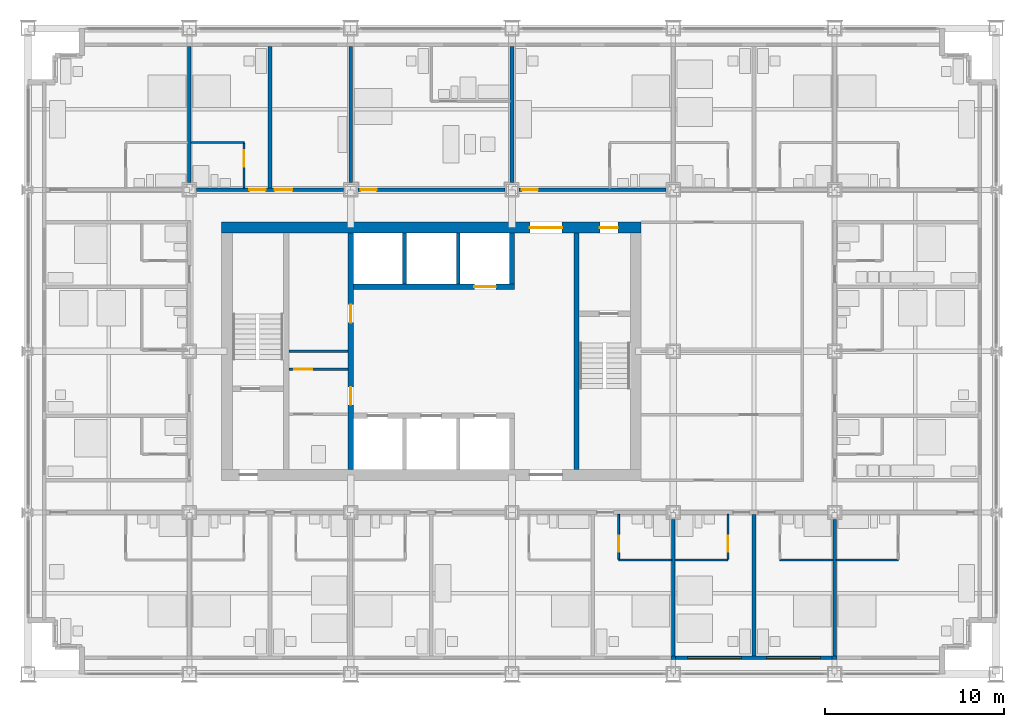
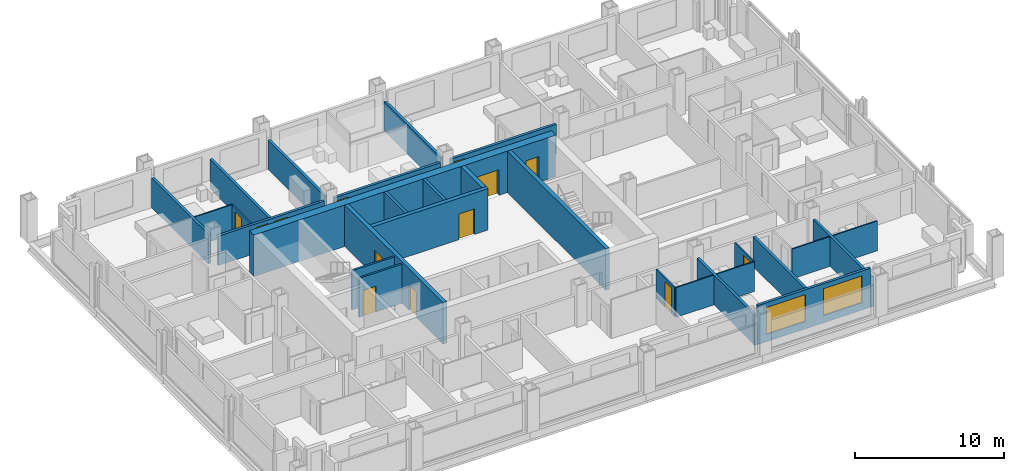
# One storey, part 12 of 18: 30 walls, 13 doors, 2 windows, 15 openings.
"""IFC4 building model written with IfcOpenShell, lengths in metres."""

from ifc_helpers import new_model, si_unit, direction, frame, frame_2d, origin, place, context, subcontext, project, spatial, rectangle, extrude, material, layer, layer_set, type_object, element, fill, save


model = new_model("IFC4")

# Units and contexts
model_context = context("Model", 3, precision=1e-05, world=origin(), true_north=direction((0.0, 1.0)))
body_context = subcontext(model_context, "Body", "Model", "MODEL_VIEW")
ifc_project = project(units=[si_unit("LENGTHUNIT", "METRE"), si_unit("AREAUNIT", "SQUARE_METRE"), si_unit("VOLUMEUNIT", "CUBIC_METRE"), si_unit("PLANEANGLEUNIT", "RADIAN"), si_unit("MASSUNIT", "GRAM", prefix="KILO")], contexts=[model_context])

# Site, building, storey
site_placement = place(None, origin())
site = spatial("IfcSite", under=ifc_project, at=site_placement, CompositionType="ELEMENT")
building_placement = place(site_placement, origin())
building = spatial("IfcBuilding", under=site, at=building_placement, Name="Loomwork Tower", CompositionType="ELEMENT")
storey_placement = place(building_placement, frame((0.0, 0.0, 82.39990234375)))
storey = spatial("IfcBuildingStorey", under=building, at=storey_placement, Name="L21", CompositionType="ELEMENT", Elevation=82.39990234375)

# Wall, openings, doors
ifc_material_1 = material(Name="Concrete 14000 psi (97 MPa)", Category="concrete")
ifc_layer_1 = layer(ifc_material_1, 0.300048828125)
ifc_layer_set_1 = layer_set([ifc_layer_1], Name="Core shear wall 300")
wall_type_1 = type_object("IfcWallType", Name="Core shear wall 300", PredefinedType="SHEAR", material=ifc_layer_set_1)
wall_1_placement = place(storey_placement, frame((18.0, 11.39990234375, 0.0), z_axis=(0.0, 0.0, 1.0), x_axis=(0.0, 1.0, 0.0)))
wall_1 = element("IfcWall", 1, at=wall_1_placement, inside=storey, type_object=wall_type_1, Name="Lobby west wall L21", PredefinedType="SHEAR", context=body_context, shape_type="SweptSolid", body=[
    extrude(rectangle(XDim=13.2001953125, YDim=0.300048828125, at=frame_2d((6.60009765625, 0.0))), origin(), (0.0, 0.0, 1.0), 3.400146484375),
])
opening_1_placement = place(wall_1_placement, frame((3.60009765625, 0.0, 0.0)))
opening_1 = element("IfcOpeningElement", 2, at=opening_1_placement, cuts=wall_1, Name="Opening D5", PredefinedType="OPENING", context=body_context, shape_type="SweptSolid", body=[
    extrude(rectangle(XDim=1.0, YDim=2.10009765625, at=frame_2d((0.5, 1.050048828125))), frame((0.0, 0.159912109375, 0.0), z_axis=(0.0, -1.0, 0.0), x_axis=(1.0, 0.0, 0.0)), (0.0, 0.0, 1.0), 0.320068359375),
])
opening_2_placement = place(wall_1_placement, frame((8.199951171875, 0.0, 0.0)))
opening_2 = element("IfcOpeningElement", 3, at=opening_2_placement, cuts=wall_1, Name="Opening D5", PredefinedType="OPENING", context=body_context, shape_type="SweptSolid", body=[
    extrude(rectangle(XDim=1.0, YDim=2.10009765625, at=frame_2d((0.5, 1.050048828125))), frame((0.0, 0.159912109375, 0.0), z_axis=(0.0, -1.0, 0.0), x_axis=(1.0, 0.0, 0.0)), (0.0, 0.0, 1.0), 0.320068359375),
])
ifc_material_2 = material(Name="Hollow metal door and frame")
door_type_1 = type_object("IfcDoorType", Name="Service door 1000", OperationType="SINGLE_SWING_LEFT", PredefinedType="DOOR", material=ifc_material_2)
door_1_placement = place(opening_1_placement, origin())
door_1 = element("IfcDoor", 4, at=door_1_placement, inside=storey, type_object=door_type_1, Name="Back-of-house door south", OperationType="SINGLE_SWING_LEFT", OverallHeight=2.10009765625, OverallWidth=1.0, PredefinedType="DOOR", context=body_context, shape_type="SweptSolid", body=[
    extrude(rectangle(XDim=1.0, YDim=2.10009765625, at=frame_2d((0.5, 1.050048828125))), frame((0.0, 0.02490234375, 0.0), z_axis=(0.0, -1.0, 0.0), x_axis=(1.0, 0.0, 0.0)), (0.0, 0.0, 1.0), 0.050048828125),
])
fill(opening_1, door_1)
door_2_placement = place(opening_2_placement, origin())
door_2 = element("IfcDoor", 5, at=door_2_placement, inside=storey, type_object=door_type_1, Name="Back-of-house door north", OperationType="SINGLE_SWING_RIGHT", OverallHeight=2.10009765625, OverallWidth=1.0, PredefinedType="DOOR", context=body_context, shape_type="SweptSolid", body=[
    extrude(rectangle(XDim=1.0, YDim=2.10009765625, at=frame_2d((0.5, 1.050048828125))), frame((0.0, 0.02490234375, 0.0), z_axis=(0.0, -1.0, 0.0), x_axis=(1.0, 0.0, 0.0)), (0.0, 0.0, 1.0), 0.050048828125),
])
fill(opening_2, door_2)

# Wall, opening, door
wall_2_placement = place(storey_placement, frame((18.14990234375, 21.60009765625, 0.0), z_axis=(0.0, 0.0, 1.0), x_axis=(1.0, 0.0, 0.0)))
wall_2 = element("IfcWall", 6, at=wall_2_placement, inside=storey, type_object=wall_type_1, Name="Lift front wall north L21", PredefinedType="SHEAR", context=body_context, shape_type="SweptSolid", body=[
    extrude(rectangle(XDim=9.0, YDim=0.300048828125, at=frame_2d((4.5, 0.0))), origin(), (0.0, 0.0, 1.0), 3.400146484375),
])
opening_3_placement = place(wall_2_placement, frame((6.75, 0.0, 0.0)))
opening_3 = element("IfcOpeningElement", 7, at=opening_3_placement, cuts=wall_2, Name="Opening LD2", PredefinedType="OPENING", context=body_context, shape_type="SweptSolid", body=[
    extrude(rectangle(XDim=1.199951171875, YDim=2.10009765625, at=frame_2d((0.60009765625, 1.050048828125))), frame((0.0, 0.159912109375, 0.0), z_axis=(0.0, -1.0, 0.0), x_axis=(1.0, 0.0, 0.0)), (0.0, 0.0, 1.0), 0.320068359375),
])
ifc_material_3 = material(Name="Hollow metal door and frame")
door_type_2 = type_object("IfcDoorType", Name="Lift landing door 1200", OperationType="SLIDING_TO_LEFT", PredefinedType="DOOR", material=ifc_material_3)
door_3_placement = place(opening_3_placement, origin())
door_3 = element("IfcDoor", 8, at=door_3_placement, inside=storey, type_object=door_type_2, Name="Lift landing door LF2", OperationType="SLIDING_TO_LEFT", OverallHeight=2.10009765625, OverallWidth=1.199951171875, PredefinedType="DOOR", context=body_context, shape_type="SweptSolid", body=[
    extrude(rectangle(XDim=1.199951171875, YDim=2.10009765625, at=frame_2d((0.60009765625, 1.050048828125))), frame((0.0, 0.02490234375, 0.0), z_axis=(0.0, -1.0, 0.0), x_axis=(1.0, 0.0, 0.0)), (0.0, 0.0, 1.0), 0.050048828125),
])
fill(opening_3, door_3)

# Walls
wall_3_placement = place(storey_placement, frame((27.0, 21.75, 0.0), z_axis=(0.0, 0.0, 1.0), x_axis=(0.0, 1.0, 0.0)))
element("IfcWall", 9, at=wall_3_placement, inside=storey, type_object=wall_type_1, Name="Lift shaft end wall north L21", PredefinedType="SHEAR", context=body_context, shape_type="SweptSolid", body=[
    extrude(rectangle(XDim=2.85009765625, YDim=0.300048828125, at=frame_2d((1.425048828125, 0.0))), origin(), (0.0, 0.0, 1.0), 3.400146484375),
])
wall_4_placement = place(storey_placement, frame((30.60009765625, 11.39990234375, 0.0), z_axis=(0.0, 0.0, 1.0), x_axis=(0.0, 1.0, 0.0)))
element("IfcWall", 10, at=wall_4_placement, inside=storey, type_object=wall_type_1, Name="Stair B west wall L21", PredefinedType="SHEAR", context=body_context, shape_type="SweptSolid", body=[
    extrude(rectangle(XDim=13.2001953125, YDim=0.300048828125, at=frame_2d((6.60009765625, 0.0))), origin(), (0.0, 0.0, 1.0), 3.400146484375),
])

# Wall, openings, doors
ifc_material_4 = material(Name="Concrete 14000 psi (97 MPa)", Category="concrete")
ifc_layer_2 = layer(ifc_material_4, 0.60009765625)
ifc_layer_set_2 = layer_set([ifc_layer_2], Name="Core shear wall 600")
wall_type_2 = type_object("IfcWallType", Name="Core shear wall 600", PredefinedType="SHEAR", material=ifc_layer_set_2)
wall_5_placement = place(storey_placement, frame((10.800048828125, 24.89990234375, 0.0), z_axis=(0.0, 0.0, 1.0), x_axis=(1.0, 0.0, 0.0)))
wall_5 = element("IfcWall", 11, at=wall_5_placement, inside=storey, type_object=wall_type_2, Name="Core wall north L21", PredefinedType="SHEAR", context=body_context, shape_type="SweptSolid", body=[
    extrude(rectangle(XDim=23.39990234375, YDim=0.60009765625, at=frame_2d((11.699951171875, 0.0))), origin(), (0.0, 0.0, 1.0), 3.400146484375),
])
opening_4_placement = place(wall_5_placement, frame((17.199951171875, 0.0, 0.0)))
opening_4 = element("IfcOpeningElement", 12, at=opening_4_placement, cuts=wall_5, Name="Opening D6", PredefinedType="OPENING", context=body_context, shape_type="SweptSolid", body=[
    extrude(rectangle(XDim=1.800048828125, YDim=2.10009765625, at=frame_2d((0.89990234375, 1.050048828125))), frame((0.0, 0.31005859375, 0.0), z_axis=(0.0, -1.0, 0.0), x_axis=(1.0, 0.0, 0.0)), (0.0, 0.0, 1.0), 0.6201171875),
])
opening_5_placement = place(wall_5_placement, frame((21.10009765625, 0.0, 0.0)))
opening_5 = element("IfcOpeningElement", 13, at=opening_5_placement, cuts=wall_5, Name="Opening D4", PredefinedType="OPENING", context=body_context, shape_type="SweptSolid", body=[
    extrude(rectangle(XDim=1.0, YDim=2.10009765625, at=frame_2d((0.5, 1.050048828125))), frame((0.0, 0.31005859375, 0.0), z_axis=(0.0, -1.0, 0.0), x_axis=(1.0, 0.0, 0.0)), (0.0, 0.0, 1.0), 0.6201171875),
])
ifc_material_5 = material(Name="Hollow metal door and frame")
door_type_3 = type_object("IfcDoorType", Name="Lobby passage double door 1800", OperationType="DOUBLE_DOOR_SINGLE_SWING", PredefinedType="DOOR", material=ifc_material_5)
door_4_placement = place(opening_4_placement, frame((1.800048828125, 0.0, 0.0), z_axis=(0.0, 0.0, 1.0), x_axis=(-1.0, 0.0, 0.0)))
door_4 = element("IfcDoor", 14, at=door_4_placement, inside=storey, type_object=door_type_3, Name="Lobby passage door north", OperationType="DOUBLE_DOOR_SINGLE_SWING", OverallHeight=2.10009765625, OverallWidth=1.800048828125, PredefinedType="DOOR", context=body_context, shape_type="SweptSolid", body=[
    extrude(rectangle(XDim=1.800048828125, YDim=2.10009765625, at=frame_2d((0.89990234375, 1.050048828125))), frame((0.0, 0.02490234375, 0.0), z_axis=(0.0, -1.0, 0.0), x_axis=(1.0, 0.0, 0.0)), (0.0, 0.0, 1.0), 0.050048828125),
])
fill(opening_4, door_4)
ifc_material_6 = material(Name="Hollow metal door and frame")
door_type_4 = type_object("IfcDoorType", Name="Stair door 1000", OperationType="SINGLE_SWING_RIGHT", PredefinedType="DOOR", material=ifc_material_6)
door_5_placement = place(opening_5_placement, frame((1.0, 0.0, 0.0), z_axis=(0.0, 0.0, 1.0), x_axis=(-1.0, 0.0, 0.0)))
door_5 = element("IfcDoor", 15, at=door_5_placement, inside=storey, type_object=door_type_4, Name="Stair B vestibule door", OperationType="SINGLE_SWING_LEFT", OverallHeight=2.10009765625, OverallWidth=1.0, PredefinedType="DOOR", context=body_context, shape_type="SweptSolid", body=[
    extrude(rectangle(XDim=1.0, YDim=2.10009765625, at=frame_2d((0.5, 1.050048828125))), frame((0.0, 0.02490234375, 0.0), z_axis=(0.0, -1.0, 0.0), x_axis=(1.0, 0.0, 0.0)), (0.0, 0.0, 1.0), 0.050048828125),
])
fill(opening_5, door_5)

ifc_material_7 = material(Name="Gypsum board on steel studs, one-hour", Category="steel")
ifc_layer_3 = layer(ifc_material_7, 0.199951171875)
ifc_layer_set_3 = layer_set([ifc_layer_3], Name="Corridor wall 200")
wall_type_3 = type_object("IfcWallType", Name="Corridor wall 200", PredefinedType="PARTITIONING", material=ifc_layer_set_3)
wall_6_placement = place(storey_placement, frame((9.39990234375, 27.0, 0.0), z_axis=(0.0, 0.0, 1.0), x_axis=(1.0, 0.0, 0.0)))
wall_6 = element("IfcWall", 16, at=wall_6_placement, inside=storey, type_object=wall_type_3, Name="North corridor wall 2", PredefinedType="PARTITIONING", context=body_context, shape_type="SweptSolid", body=[
    extrude(rectangle(XDim=8.2001953125, YDim=0.199951171875, at=frame_2d((4.10009765625, 0.0))), origin(), (0.0, 0.0, 1.0), 2.405029296875),
])
opening_6_placement = place(wall_6_placement, frame((2.949951171875, 0.0, 0.0)))
opening_6 = element("IfcOpeningElement", 17, at=opening_6_placement, cuts=wall_6, Name="Opening D1", PredefinedType="OPENING", context=body_context, shape_type="SweptSolid", body=[
    extrude(rectangle(XDim=0.89990234375, YDim=2.10009765625, at=frame_2d((0.449951171875, 1.050048828125))), frame((0.0, 0.10986328125, 0.0), z_axis=(0.0, -1.0, 0.0), x_axis=(1.0, 0.0, 0.0)), (0.0, 0.0, 1.0), 0.219970703125),
])
opening_7_placement = place(wall_6_placement, frame((4.35009765625, 0.0, 0.0)))
opening_7 = element("IfcOpeningElement", 18, at=opening_7_placement, cuts=wall_6, Name="Opening D15", PredefinedType="OPENING", context=body_context, shape_type="SweptSolid", body=[
    extrude(rectangle(XDim=1.0, YDim=2.10009765625, at=frame_2d((0.5, 1.050048828125))), frame((0.0, 0.10986328125, 0.0), z_axis=(0.0, -1.0, 0.0), x_axis=(1.0, 0.0, 0.0)), (0.0, 0.0, 1.0), 0.219970703125),
])
ifc_material_8 = material(Name="Hollow metal door and frame")
door_type_5 = type_object("IfcDoorType", Name="Fire-rated room door 1000", OperationType="SINGLE_SWING_LEFT", PredefinedType="DOOR", material=ifc_material_8)
door_6_placement = place(opening_7_placement, origin())
door_6 = element("IfcDoor", 19, at=door_6_placement, inside=storey, type_object=door_type_5, Name="Housekeeping pantry door L21 12", OperationType="SINGLE_SWING_LEFT", OverallHeight=2.10009765625, OverallWidth=1.0, PredefinedType="DOOR", context=body_context, shape_type="SweptSolid", body=[
    extrude(rectangle(XDim=1.0, YDim=2.10009765625, at=frame_2d((0.5, 1.050048828125))), frame((0.0, 0.02490234375, 0.0), z_axis=(0.0, -1.0, 0.0), x_axis=(1.0, 0.0, 0.0)), (0.0, 0.0, 1.0), 0.050048828125),
])
fill(opening_7, door_6)
ifc_material_9 = material(Name="Hollow metal door and frame")
door_type_6 = type_object("IfcDoorType", Name="Guest room entry door 900", OperationType="SINGLE_SWING_LEFT", PredefinedType="DOOR", material=ifc_material_9)
door_7_placement = place(opening_6_placement, origin())
door_7 = element("IfcDoor", 20, at=door_7_placement, inside=storey, type_object=door_type_6, Name="Guest room entry door L21 11", OperationType="SINGLE_SWING_RIGHT", OverallHeight=2.10009765625, OverallWidth=0.89990234375, PredefinedType="DOOR", context=body_context, shape_type="SweptSolid", body=[
    extrude(rectangle(XDim=0.89990234375, YDim=2.10009765625, at=frame_2d((0.449951171875, 1.050048828125))), frame((0.0, 0.02490234375, 0.0), z_axis=(0.0, -1.0, 0.0), x_axis=(1.0, 0.0, 0.0)), (0.0, 0.0, 1.0), 0.050048828125),
])
fill(opening_6, door_7)

# Wall, opening, door
wall_7_placement = place(storey_placement, frame((18.39990234375, 27.0, 0.0), z_axis=(0.0, 0.0, 1.0), x_axis=(1.0, 0.0, 0.0)))
wall_7 = element("IfcWall", 21, at=wall_7_placement, inside=storey, type_object=wall_type_3, Name="North corridor wall 3", PredefinedType="PARTITIONING", context=body_context, shape_type="SweptSolid", body=[
    extrude(rectangle(XDim=8.2001953125, YDim=0.199951171875, at=frame_2d((4.10009765625, 0.0))), origin(), (0.0, 0.0, 1.0), 2.405029296875),
])
opening_8_placement = place(wall_7_placement, frame((0.14990234375, 0.0, 0.0)))
opening_8 = element("IfcOpeningElement", 22, at=opening_8_placement, cuts=wall_7, Name="Opening D1", PredefinedType="OPENING", context=body_context, shape_type="SweptSolid", body=[
    extrude(rectangle(XDim=0.89990234375, YDim=2.10009765625, at=frame_2d((0.449951171875, 1.050048828125))), frame((0.0, 0.10986328125, 0.0), z_axis=(0.0, -1.0, 0.0), x_axis=(1.0, 0.0, 0.0)), (0.0, 0.0, 1.0), 0.219970703125),
])
door_8_placement = place(opening_8_placement, origin())
door_8 = element("IfcDoor", 23, at=door_8_placement, inside=storey, type_object=door_type_6, Name="Guest room entry door L21 13", OperationType="SINGLE_SWING_LEFT", OverallHeight=2.10009765625, OverallWidth=0.89990234375, PredefinedType="DOOR", context=body_context, shape_type="SweptSolid", body=[
    extrude(rectangle(XDim=0.89990234375, YDim=2.10009765625, at=frame_2d((0.449951171875, 1.050048828125))), frame((0.0, 0.02490234375, 0.0), z_axis=(0.0, -1.0, 0.0), x_axis=(1.0, 0.0, 0.0)), (0.0, 0.0, 1.0), 0.050048828125),
])
fill(opening_8, door_8)

wall_8_placement = place(storey_placement, frame((27.39990234375, 27.0, 0.0), z_axis=(0.0, 0.0, 1.0), x_axis=(1.0, 0.0, 0.0)))
wall_8 = element("IfcWall", 24, at=wall_8_placement, inside=storey, type_object=wall_type_3, Name="North corridor wall 4", PredefinedType="PARTITIONING", context=body_context, shape_type="SweptSolid", body=[
    extrude(rectangle(XDim=8.2001953125, YDim=0.199951171875, at=frame_2d((4.10009765625, 0.0))), origin(), (0.0, 0.0, 1.0), 2.405029296875),
])
opening_9_placement = place(wall_8_placement, frame((0.14990234375, 0.0, 0.0)))
opening_9 = element("IfcOpeningElement", 25, at=opening_9_placement, cuts=wall_8, Name="Opening D1", PredefinedType="OPENING", context=body_context, shape_type="SweptSolid", body=[
    extrude(rectangle(XDim=0.89990234375, YDim=2.10009765625, at=frame_2d((0.449951171875, 1.050048828125))), frame((0.0, 0.10986328125, 0.0), z_axis=(0.0, -1.0, 0.0), x_axis=(1.0, 0.0, 0.0)), (0.0, 0.0, 1.0), 0.219970703125),
])
door_9_placement = place(opening_9_placement, origin())
door_9 = element("IfcDoor", 26, at=door_9_placement, inside=storey, type_object=door_type_6, Name="Guest room entry door L21 14", OperationType="SINGLE_SWING_LEFT", OverallHeight=2.10009765625, OverallWidth=0.89990234375, PredefinedType="DOOR", context=body_context, shape_type="SweptSolid", body=[
    extrude(rectangle(XDim=0.89990234375, YDim=2.10009765625, at=frame_2d((0.449951171875, 1.050048828125))), frame((0.0, 0.02490234375, 0.0), z_axis=(0.0, -1.0, 0.0), x_axis=(1.0, 0.0, 0.0)), (0.0, 0.0, 1.0), 0.050048828125),
])
fill(opening_9, door_9)

# Wall
ifc_material_10 = material(Name="Cement board on steel studs", Category="steel")
ifc_layer_4 = layer(ifc_material_10, 0.10009765625)
ifc_layer_set_4 = layer_set([ifc_layer_4], Name="En-suite partition 100")
wall_type_4 = type_object("IfcWallType", Name="En-suite partition 100", PredefinedType="PARTITIONING", material=ifc_layer_set_4)
wall_9_placement = place(storey_placement, frame((32.949951171875, 6.35009765625, 0.0), z_axis=(0.0, 0.0, 1.0), x_axis=(1.0, 0.0, 0.0)))
element("IfcWall", 27, at=wall_9_placement, inside=storey, type_object=wall_type_4, Name="En-suite wall L21 room 6", PredefinedType="PARTITIONING", context=body_context, shape_type="SweptSolid", body=[
    extrude(rectangle(XDim=2.949951171875, YDim=0.10009765625, at=frame_2d((1.47509765625, 0.0))), origin(), (0.0, 0.0, 1.0), 2.43798828125),
])

# Wall, opening, door
wall_10_placement = place(storey_placement, frame((32.949951171875, 8.89990234375, 0.0), z_axis=(0.0, 0.0, 1.0), x_axis=(0.0, -1.0, 0.0)))
wall_10 = element("IfcWall", 28, at=wall_10_placement, inside=storey, type_object=wall_type_4, Name="En-suite side wall L21 room 6", PredefinedType="PARTITIONING", context=body_context, shape_type="SweptSolid", body=[
    extrude(rectangle(XDim=2.5, YDim=0.10009765625, at=frame_2d((1.25, 0.0))), origin(), (0.0, 0.0, 1.0), 2.404052734375),
])
opening_10_placement = place(wall_10_placement, frame((1.199951171875, 0.0, 0.0)))
opening_10 = element("IfcOpeningElement", 29, at=opening_10_placement, cuts=wall_10, Name="Opening D2", PredefinedType="OPENING", context=body_context, shape_type="SweptSolid", body=[
    extrude(rectangle(XDim=0.89990234375, YDim=2.10009765625, at=frame_2d((0.449951171875, 1.050048828125))), frame((0.0, 0.06005859375, 0.0), z_axis=(0.0, -1.0, 0.0), x_axis=(1.0, 0.0, 0.0)), (0.0, 0.0, 1.0), 0.1201171875),
])
ifc_material_11 = material(Name="Hollow metal door and frame")
door_type_7 = type_object("IfcDoorType", Name="En-suite door 900", OperationType="SINGLE_SWING_LEFT", PredefinedType="DOOR", material=ifc_material_11)
door_10_placement = place(opening_10_placement, origin())
door_10 = element("IfcDoor", 30, at=door_10_placement, inside=storey, type_object=door_type_7, Name="En-suite door room 6", OperationType="SINGLE_SWING_RIGHT", OverallHeight=2.10009765625, OverallWidth=0.89990234375, PredefinedType="DOOR", context=body_context, shape_type="SweptSolid", body=[
    extrude(rectangle(XDim=0.89990234375, YDim=2.10009765625, at=frame_2d((0.449951171875, 1.050048828125))), frame((0.0, 0.02490234375, 0.0), z_axis=(0.0, -1.0, 0.0), x_axis=(1.0, 0.0, 0.0)), (0.0, 0.0, 1.0), 0.050048828125),
])
fill(opening_10, door_10)

# Wall
wall_11_placement = place(storey_placement, frame((36.10009765625, 6.35009765625, 0.0), z_axis=(0.0, 0.0, 1.0), x_axis=(1.0, 0.0, 0.0)))
element("IfcWall", 31, at=wall_11_placement, inside=storey, type_object=wall_type_4, Name="En-suite wall L21 room 7", PredefinedType="PARTITIONING", context=body_context, shape_type="SweptSolid", body=[
    extrude(rectangle(XDim=2.949951171875, YDim=0.10009765625, at=frame_2d((1.47509765625, 0.0))), origin(), (0.0, 0.0, 1.0), 2.43798828125),
])

# Wall, opening, door
wall_12_placement = place(storey_placement, frame((39.050048828125, 8.89990234375, 0.0), z_axis=(0.0, 0.0, 1.0), x_axis=(0.0, -1.0, 0.0)))
wall_12 = element("IfcWall", 32, at=wall_12_placement, inside=storey, type_object=wall_type_4, Name="En-suite side wall L21 room 7", PredefinedType="PARTITIONING", context=body_context, shape_type="SweptSolid", body=[
    extrude(rectangle(XDim=2.5, YDim=0.10009765625, at=frame_2d((1.25, 0.0))), origin(), (0.0, 0.0, 1.0), 2.43798828125),
])
opening_11_placement = place(wall_12_placement, frame((1.199951171875, 0.0, 0.0)))
opening_11 = element("IfcOpeningElement", 33, at=opening_11_placement, cuts=wall_12, Name="Opening D2", PredefinedType="OPENING", context=body_context, shape_type="SweptSolid", body=[
    extrude(rectangle(XDim=0.89990234375, YDim=2.10009765625, at=frame_2d((0.449951171875, 1.050048828125))), frame((0.0, 0.06005859375, 0.0), z_axis=(0.0, -1.0, 0.0), x_axis=(1.0, 0.0, 0.0)), (0.0, 0.0, 1.0), 0.1201171875),
])
door_11_placement = place(opening_11_placement, frame((0.89990234375, 0.0, 0.0), z_axis=(0.0, 0.0, 1.0), x_axis=(-1.0, 0.0, 0.0)))
door_11 = element("IfcDoor", 34, at=door_11_placement, inside=storey, type_object=door_type_7, Name="En-suite door room 7", OperationType="SINGLE_SWING_LEFT", OverallHeight=2.10009765625, OverallWidth=0.89990234375, PredefinedType="DOOR", context=body_context, shape_type="SweptSolid", body=[
    extrude(rectangle(XDim=0.89990234375, YDim=2.10009765625, at=frame_2d((0.449951171875, 1.050048828125))), frame((0.0, 0.02490234375, 0.0), z_axis=(0.0, -1.0, 0.0), x_axis=(1.0, 0.0, 0.0)), (0.0, 0.0, 1.0), 0.050048828125),
])
fill(opening_11, door_11)

# Walls
wall_13_placement = place(storey_placement, frame((41.949951171875, 6.35009765625, 0.0), z_axis=(0.0, 0.0, 1.0), x_axis=(1.0, 0.0, 0.0)))
element("IfcWall", 35, at=wall_13_placement, inside=storey, type_object=wall_type_4, Name="En-suite wall L21 room 8", PredefinedType="PARTITIONING", context=body_context, shape_type="SweptSolid", body=[
    extrude(rectangle(XDim=2.949951171875, YDim=0.10009765625, at=frame_2d((1.47509765625, 0.0))), origin(), (0.0, 0.0, 1.0), 2.43798828125),
])
wall_14_placement = place(storey_placement, frame((45.10009765625, 6.35009765625, 0.0), z_axis=(0.0, 0.0, 1.0), x_axis=(1.0, 0.0, 0.0)))
element("IfcWall", 36, at=wall_14_placement, inside=storey, type_object=wall_type_4, Name="En-suite wall L21 room 9", PredefinedType="PARTITIONING", context=body_context, shape_type="SweptSolid", body=[
    extrude(rectangle(XDim=3.449951171875, YDim=0.10009765625, at=frame_2d((1.72509765625, 0.0))), origin(), (0.0, 0.0, 1.0), 2.43798828125),
])
wall_15_placement = place(storey_placement, frame((9.10009765625, 29.64990234375, 0.0), z_axis=(0.0, 0.0, 1.0), x_axis=(1.0, 0.0, 0.0)))
element("IfcWall", 37, at=wall_15_placement, inside=storey, type_object=wall_type_4, Name="En-suite wall L21 room 11", PredefinedType="PARTITIONING", context=body_context, shape_type="SweptSolid", body=[
    extrude(rectangle(XDim=2.949951171875, YDim=0.10009765625, at=frame_2d((1.47509765625, 0.0))), origin(), (0.0, 0.0, 1.0), 2.43798828125),
])

# Wall, opening, door
wall_16_placement = place(storey_placement, frame((12.050048828125, 27.10009765625, 0.0), z_axis=(0.0, 0.0, 1.0), x_axis=(0.0, 1.0, 0.0)))
wall_16 = element("IfcWall", 38, at=wall_16_placement, inside=storey, type_object=wall_type_4, Name="En-suite side wall L21 room 11", PredefinedType="PARTITIONING", context=body_context, shape_type="SweptSolid", body=[
    extrude(rectangle(XDim=2.5, YDim=0.10009765625, at=frame_2d((1.25, 0.0))), origin(), (0.0, 0.0, 1.0), 2.404052734375),
])
opening_12_placement = place(wall_16_placement, frame((1.199951171875, 0.0, 0.0)))
opening_12 = element("IfcOpeningElement", 39, at=opening_12_placement, cuts=wall_16, Name="Opening D2", PredefinedType="OPENING", context=body_context, shape_type="SweptSolid", body=[
    extrude(rectangle(XDim=0.89990234375, YDim=2.10009765625, at=frame_2d((0.449951171875, 1.050048828125))), frame((0.0, 0.06005859375, 0.0), z_axis=(0.0, -1.0, 0.0), x_axis=(1.0, 0.0, 0.0)), (0.0, 0.0, 1.0), 0.1201171875),
])
door_12_placement = place(opening_12_placement, origin())
door_12 = element("IfcDoor", 40, at=door_12_placement, inside=storey, type_object=door_type_7, Name="En-suite door room 11", OperationType="SINGLE_SWING_RIGHT", OverallHeight=2.10009765625, OverallWidth=0.89990234375, PredefinedType="DOOR", context=body_context, shape_type="SweptSolid", body=[
    extrude(rectangle(XDim=0.89990234375, YDim=2.10009765625, at=frame_2d((0.449951171875, 1.050048828125))), frame((0.0, 0.02490234375, 0.0), z_axis=(0.0, -1.0, 0.0), x_axis=(1.0, 0.0, 0.0)), (0.0, 0.0, 1.0), 0.050048828125),
])
fill(opening_12, door_12)

# Walls
ifc_material_12 = material(Name="Gypsum board on steel studs, acoustic", Category="steel")
ifc_layer_5 = layer(ifc_material_12, 0.199951171875)
ifc_layer_set_5 = layer_set([ifc_layer_5], Name="Guest room party wall 200")
wall_type_5 = type_object("IfcWallType", Name="Guest room party wall 200", PredefinedType="PARTITIONING", material=ifc_layer_set_5)
wall_17_placement = place(storey_placement, frame((36.0, 8.60009765625, 0.0), z_axis=(0.0, 0.0, 1.0), x_axis=(0.0, -1.0, 0.0)))
element("IfcWall", 41, at=wall_17_placement, inside=storey, type_object=wall_type_5, Name="Guest room party wall S 36", PredefinedType="PARTITIONING", context=body_context, shape_type="SweptSolid", body=[
    extrude(rectangle(XDim=7.60009765625, YDim=0.199951171875, at=frame_2d((3.800048828125, 0.0))), origin(), (0.0, 0.0, 1.0), 2.43798828125),
])
wall_18_placement = place(storey_placement, frame((40.5, 8.89990234375, 0.0), z_axis=(0.0, 0.0, 1.0), x_axis=(0.0, -1.0, 0.0)))
element("IfcWall", 42, at=wall_18_placement, inside=storey, type_object=wall_type_5, Name="Guest room party wall S 40.5", PredefinedType="PARTITIONING", context=body_context, shape_type="SweptSolid", body=[
    extrude(rectangle(XDim=7.89990234375, YDim=0.199951171875, at=frame_2d((3.949951171875, 0.0))), origin(), (0.0, 0.0, 1.0), 2.43798828125),
])
for number, where, z_axis, x_axis, name in (
    (43, (45.0, 8.60009765625, 0.0), (0.0, 0.0, 1.0), (0.0, -1.0, 0.0), "Guest room party wall S 45"),
    (44, (9.0, 27.39990234375, 0.0), (0.0, 0.0, 1.0), (0.0, 1.0, 0.0), "Guest room party wall N 9"),
):
    element("IfcWall", number, at=place(storey_placement, frame(where, z_axis=z_axis, x_axis=x_axis)), inside=storey, type_object=wall_type_5, Name=name, PredefinedType="PARTITIONING", context=body_context, shape_type="SweptSolid", body=[
        extrude(rectangle(XDim=7.60009765625, YDim=0.199951171875, at=frame_2d((3.800048828125, 0.0))), origin(), (0.0, 0.0, 1.0), 2.43798828125),
    ])
wall_19_placement = place(storey_placement, frame((13.5, 27.10009765625, 0.0), z_axis=(0.0, 0.0, 1.0), x_axis=(0.0, 1.0, 0.0)))
element("IfcWall", 45, at=wall_19_placement, inside=storey, type_object=wall_type_5, Name="Guest room party wall N 13.5", PredefinedType="PARTITIONING", context=body_context, shape_type="SweptSolid", body=[
    extrude(rectangle(XDim=7.89990234375, YDim=0.199951171875, at=frame_2d((3.949951171875, 0.0))), origin(), (0.0, 0.0, 1.0), 2.404052734375),
])
for number, where, z_axis, x_axis, name in (
    (46, (18.0, 27.39990234375, 0.0), (0.0, 0.0, 1.0), (0.0, 1.0, 0.0), "Guest room party wall N 18"),
    (47, (27.0, 27.39990234375, 0.0), (0.0, 0.0, 1.0), (0.0, 1.0, 0.0), "Guest room party wall N 27"),
):
    element("IfcWall", number, at=place(storey_placement, frame(where, z_axis=z_axis, x_axis=x_axis)), inside=storey, type_object=wall_type_5, Name=name, PredefinedType="PARTITIONING", context=body_context, shape_type="SweptSolid", body=[
        extrude(rectangle(XDim=7.60009765625, YDim=0.199951171875, at=frame_2d((3.800048828125, 0.0))), origin(), (0.0, 0.0, 1.0), 2.405029296875),
    ])
ifc_material_13 = material(Name="Insulated steel stud wall with gypsum lining", Category="steel")
ifc_layer_6 = layer(ifc_material_13, 0.199951171875)
ifc_layer_set_6 = layer_set([ifc_layer_6], Name="Inner skin wall 200")
wall_type_6 = type_object("IfcWallType", Name="Inner skin wall 200", PredefinedType="SOLIDWALL", material=ifc_layer_set_6)
wall_20_placement = place(storey_placement, frame((35.864501953125, 0.89990234375, 0.0), z_axis=(0.0, 0.0, 1.0), x_axis=(1.0, 0.0, 0.0)))
element("IfcWall", 48, at=wall_20_placement, inside=storey, type_object=wall_type_6, Name="Inner skin wall S bay 8", PredefinedType="SOLIDWALL", context=body_context, shape_type="SweptSolid", body=[
    extrude(rectangle(XDim=0.27099609375, YDim=0.199951171875, at=frame_2d((0.135498046875, 0.0))), origin(), (0.0, 0.0, 1.0), 2.43798828125),
])

# Wall, openings, windows
wall_21_placement = place(storey_placement, frame((36.135498046875, 0.89990234375, 0.0), z_axis=(0.0, 0.0, 1.0), x_axis=(1.0, 0.0, 0.0)))
wall_21 = element("IfcWall", 49, at=wall_21_placement, inside=storey, type_object=wall_type_6, Name="Inner skin wall S bay 9", PredefinedType="SOLIDWALL", context=body_context, shape_type="SweptSolid", body=[
    extrude(rectangle(XDim=8.72900390625, YDim=0.199951171875, at=frame_2d((4.364501953125, 0.0))), origin(), (0.0, 0.0, 1.0), 3.2001953125),
])
opening_13_placement = place(wall_21_placement, frame((0.66455078125, 0.0, 0.60009765625)))
opening_13 = element("IfcOpeningElement", 50, at=opening_13_placement, cuts=wall_21, Name="Opening CH1", PredefinedType="OPENING", context=body_context, shape_type="SweptSolid", body=[
    extrude(rectangle(XDim=3.0, YDim=2.199951171875, at=frame_2d((1.5, 1.10009765625))), frame((0.0, 0.10986328125, 0.0), z_axis=(0.0, -1.0, 0.0), x_axis=(1.0, 0.0, 0.0)), (0.0, 0.0, 1.0), 0.219970703125),
])
opening_14_placement = place(wall_21_placement, frame((5.064697265625, 0.0, 0.60009765625)))
opening_14 = element("IfcOpeningElement", 51, at=opening_14_placement, cuts=wall_21, Name="Opening CH1", PredefinedType="OPENING", context=body_context, shape_type="SweptSolid", body=[
    extrude(rectangle(XDim=3.0, YDim=2.199951171875, at=frame_2d((1.5, 1.10009765625))), frame((0.0, 0.10986328125, 0.0), z_axis=(0.0, -1.0, 0.0), x_axis=(1.0, 0.0, 0.0)), (0.0, 0.0, 1.0), 0.219970703125),
])
ifc_material_14 = material(Name="Aluminium frame with clear insulated glass", Category="aluminium")
window_type = type_object("IfcWindowType", Name="Chicago window 3000", PartitioningType="TRIPLE_PANEL_VERTICAL", PredefinedType="WINDOW", material=ifc_material_14)
window_1_placement = place(opening_13_placement, origin())
window_1 = element("IfcWindow", 52, at=window_1_placement, inside=storey, type_object=window_type, Name="Chicago window L21 bay 5", OverallHeight=2.199951171875, OverallWidth=3.0, PartitioningType="TRIPLE_PANEL_VERTICAL", PredefinedType="WINDOW", context=body_context, shape_type="SweptSolid", body=[
    extrude(rectangle(XDim=3.0, YDim=2.199951171875, at=frame_2d((1.5, 1.10009765625))), frame((0.0, 0.030029296875, 0.0), z_axis=(0.0, -1.0, 0.0), x_axis=(1.0, 0.0, 0.0)), (0.0, 0.0, 1.0), 0.06005859375),
])
fill(opening_13, window_1)
window_2_placement = place(opening_14_placement, origin())
window_2 = element("IfcWindow", 53, at=window_2_placement, inside=storey, type_object=window_type, Name="Chicago window L21 bay 5", OverallHeight=2.199951171875, OverallWidth=3.0, PartitioningType="TRIPLE_PANEL_VERTICAL", PredefinedType="WINDOW", context=body_context, shape_type="SweptSolid", body=[
    extrude(rectangle(XDim=3.0, YDim=2.199951171875, at=frame_2d((1.5, 1.10009765625))), frame((0.0, 0.030029296875, 0.0), z_axis=(0.0, -1.0, 0.0), x_axis=(1.0, 0.0, 0.0)), (0.0, 0.0, 1.0), 0.06005859375),
])
fill(opening_14, window_2)

# Walls
wall_22_placement = place(storey_placement, frame((44.864501953125, 0.89990234375, 0.0), z_axis=(0.0, 0.0, 1.0), x_axis=(1.0, 0.0, 0.0)))
element("IfcWall", 54, at=wall_22_placement, inside=storey, type_object=wall_type_6, Name="Inner skin wall S bay 10", PredefinedType="SOLIDWALL", context=body_context, shape_type="SweptSolid", body=[
    extrude(rectangle(XDim=0.27099609375, YDim=0.199951171875, at=frame_2d((0.135498046875, 0.0))), origin(), (0.0, 0.0, 1.0), 2.43798828125),
])
ifc_material_15 = material(Name="Concrete 14000 psi (97 MPa)", Category="concrete")
ifc_layer_7 = layer(ifc_material_15, 0.199951171875)
ifc_layer_set_7 = layer_set([ifc_layer_7], Name="Lift shaft wall 200")
wall_type_7 = type_object("IfcWallType", Name="Lift shaft wall 200", PredefinedType="SHEAR", material=ifc_layer_set_7)
for number, where, z_axis, x_axis, name in (
    (55, (21.0, 21.75, 0.0), (0.0, 0.0, 1.0), (0.0, 1.0, 0.0), "Lift shaft separation wall north 1 L21"),
    (56, (24.0, 21.75, 0.0), (0.0, 0.0, 1.0), (0.0, 1.0, 0.0), "Lift shaft separation wall north 2 L21"),
):
    element("IfcWall", number, at=place(storey_placement, frame(where, z_axis=z_axis, x_axis=x_axis)), inside=storey, type_object=wall_type_7, Name=name, PredefinedType="SHEAR", context=body_context, shape_type="SweptSolid", body=[
        extrude(rectangle(XDim=2.85009765625, YDim=0.199951171875, at=frame_2d((1.425048828125, 0.0))), origin(), (0.0, 0.0, 1.0), 3.400146484375),
    ])
ifc_material_16 = material(Name="Gypsum board on steel studs", Category="steel")
ifc_layer_8 = layer(ifc_material_16, 0.14990234375)
ifc_layer_set_8 = layer_set([ifc_layer_8], Name="Partition 150 two-hour")
wall_type_8 = type_object("IfcWallType", Name="Partition 150 two-hour", PredefinedType="PARTITIONING", material=ifc_layer_set_8)
wall_23_placement = place(storey_placement, frame((14.550048828125, 18.0, 0.0), z_axis=(0.0, 0.0, 1.0), x_axis=(1.0, 0.0, 0.0)))
element("IfcWall", 57, at=wall_23_placement, inside=storey, type_object=wall_type_8, Name="Back-of-house dividing wall L21", PredefinedType="PARTITIONING", context=body_context, shape_type="SweptSolid", body=[
    extrude(rectangle(XDim=3.300048828125, YDim=0.14990234375, at=frame_2d((1.64990234375, 0.0))), origin(), (0.0, 0.0, 1.0), 3.2001953125),
])

# Wall, opening, door
ifc_material_17 = material(Name="Gypsum board on steel studs, one-hour", Category="steel")
ifc_layer_9 = layer(ifc_material_17, 0.14990234375)
ifc_layer_set_9 = layer_set([ifc_layer_9], Name="Service partition 150")
wall_type_9 = type_object("IfcWallType", Name="Service partition 150", PredefinedType="PARTITIONING", material=ifc_layer_set_9)
wall_24_placement = place(storey_placement, frame((14.550048828125, 17.0, 0.0), z_axis=(0.0, 0.0, 1.0), x_axis=(1.0, 0.0, 0.0)))
wall_24 = element("IfcWall", 58, at=wall_24_placement, inside=storey, type_object=wall_type_9, Name="Riser enclosure L21", PredefinedType="PARTITIONING", context=body_context, shape_type="SweptSolid", body=[
    extrude(rectangle(XDim=3.300048828125, YDim=0.14990234375, at=frame_2d((1.64990234375, 0.0))), origin(), (0.0, 0.0, 1.0), 3.2001953125),
])
opening_15_placement = place(wall_24_placement, frame((0.300048828125, 0.0, 0.0)))
opening_15 = element("IfcOpeningElement", 59, at=opening_15_placement, cuts=wall_24, Name="Opening D18", PredefinedType="OPENING", context=body_context, shape_type="SweptSolid", body=[
    extrude(rectangle(XDim=1.0, YDim=2.10009765625, at=frame_2d((0.5, 1.050048828125))), frame((0.0, 0.0849609375, 0.0), z_axis=(0.0, -1.0, 0.0), x_axis=(1.0, 0.0, 0.0)), (0.0, 0.0, 1.0), 0.169921875),
])
ifc_material_18 = material(Name="Hollow metal door and frame")
door_type_8 = type_object("IfcDoorType", Name="Ninety-minute service door 1000", OperationType="SINGLE_SWING_LEFT", PredefinedType="DOOR", material=ifc_material_18)
door_13_placement = place(opening_15_placement, frame((1.0, 0.0, 0.0), z_axis=(0.0, 0.0, 1.0), x_axis=(-1.0, 0.0, 0.0)))
door_13 = element("IfcDoor", 60, at=door_13_placement, inside=storey, type_object=door_type_8, Name="Riser access door", OperationType="SINGLE_SWING_RIGHT", OverallHeight=2.10009765625, OverallWidth=1.0, PredefinedType="DOOR", context=body_context, shape_type="SweptSolid", body=[
    extrude(rectangle(XDim=1.0, YDim=2.10009765625, at=frame_2d((0.5, 1.050048828125))), frame((0.0, 0.02490234375, 0.0), z_axis=(0.0, -1.0, 0.0), x_axis=(1.0, 0.0, 0.0)), (0.0, 0.0, 1.0), 0.050048828125),
])
fill(opening_15, door_13)

save(model, "model.ifc")
